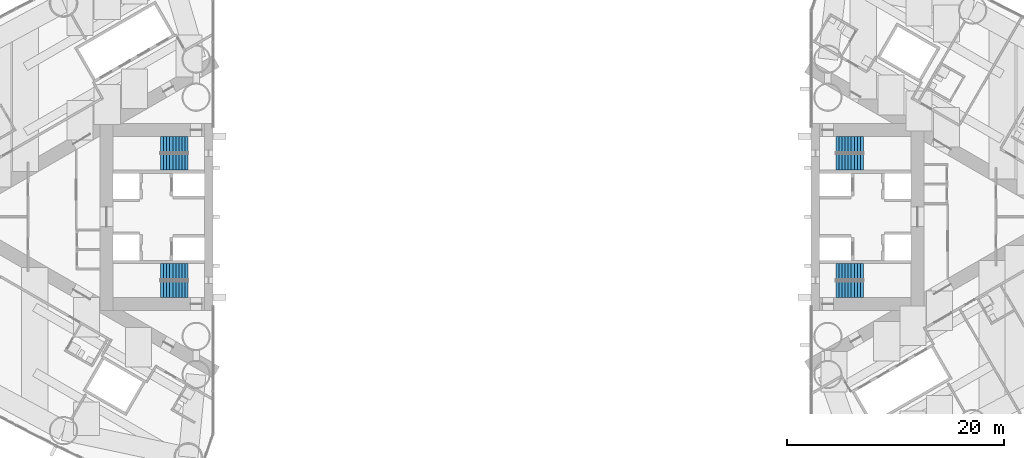
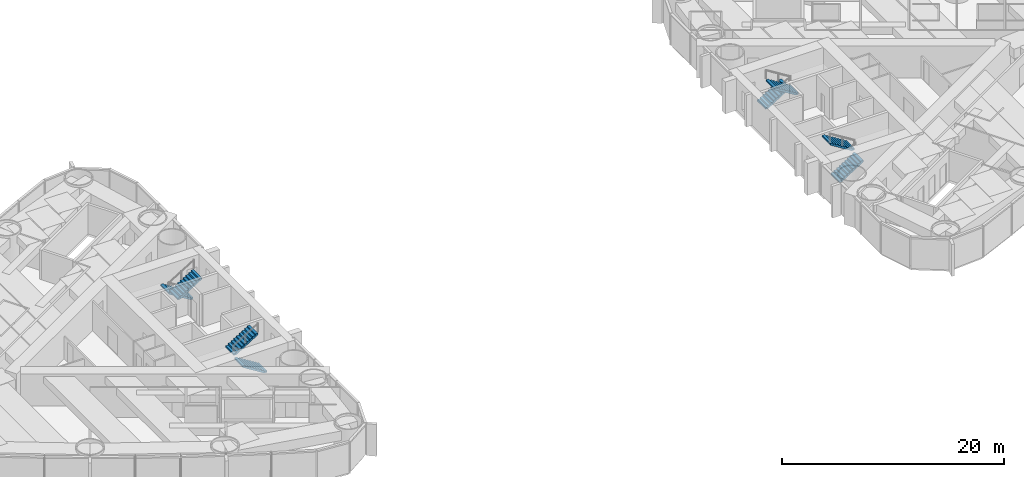
# One storey, part 17 of 19: 8 stair flights, 4 elements without a shape of their own.
"""IFC4 building model written with IfcOpenShell, lengths in metres."""

from ifc_helpers import new_model, si_unit, direction, frame, origin, place, context, subcontext, project, spatial, polyline, outline, extrude, material, type_object, element, aggregate, save


model = new_model("IFC4")

# Units and contexts
model_context = context("Model", 3, precision=1e-05, world=origin(), true_north=direction((0.0, 1.0)))
body_context = subcontext(model_context, "Body", "Model", "MODEL_VIEW")
ifc_project = project(units=[si_unit("LENGTHUNIT", "METRE"), si_unit("AREAUNIT", "SQUARE_METRE"), si_unit("VOLUMEUNIT", "CUBIC_METRE"), si_unit("PLANEANGLEUNIT", "RADIAN"), si_unit("MASSUNIT", "GRAM", prefix="KILO")], contexts=[model_context])

# Site, building, storey
site_placement = place(None, origin())
site = spatial("IfcSite", under=ifc_project, at=site_placement, CompositionType="ELEMENT")
building_placement = place(site_placement, origin())
building = spatial("IfcBuilding", under=site, at=building_placement, Name="Lancet Gate Hotel", CompositionType="ELEMENT")
storey_placement = place(building_placement, frame((0.0, 0.0, 111.60009765625)))
storey = spatial("IfcBuildingStorey", under=building, at=storey_placement, Name="L29", CompositionType="ELEMENT", Elevation=111.60009765625)

# Stair, stair flights
ifc_material_1 = material(Name="Exit stair 20 risers 1500")
stair_type = type_object("IfcStairType", Name="Exit stair 20 risers 1500", PredefinedType="HALF_TURN_STAIR", material=ifc_material_1)
stair_1_placement = place(storey_placement, origin())
stair_1 = element("IfcStair", 1, at=stair_1_placement, inside=storey, type_object=stair_type, Name="T1 stair 1 L29", PredefinedType="HALF_TURN_STAIR")
ifc_material_2 = material(Name="Stair flight 10 risers 175 rise 1500")
stair_flight_type = type_object("IfcStairFlightType", Name="Stair flight 10 risers 175 rise 1500", PredefinedType="STRAIGHT", material=ifc_material_2)
stair_flight_1_placement = place(storey_placement, frame((-29.800048828125, 6.64990234375, 0.0), z_axis=(0.0, 0.0, 1.0), x_axis=(-1.0, 0.0, 0.0)))
stair_flight_1 = element("IfcStairFlight", 2, at=stair_flight_1_placement, type_object=stair_flight_type, Name="ST1 flight 1", NumberOfRisers=10, NumberOfTreads=9, PredefinedType="STRAIGHT", RiserHeight=0.175, TreadLength=0.28, context=body_context, shape_type="SweptSolid", body=[
    extrude(outline(polyline([(0.0, 0.0), (0.0, 0.175048828125), (0.280029296875, 0.175048828125), (0.280029296875, 0.35009765625), (0.56005859375, 0.35009765625), (0.56005859375, 0.52490234375), (0.840087890625, 0.52490234375), (0.840087890625, 0.699951171875), (1.1201171875, 0.699951171875), (1.1201171875, 0.875), (1.39990234375, 0.875), (1.39990234375, 1.050048828125), (1.679931640625, 1.050048828125), (1.679931640625, 1.22509765625), (1.9599609375, 1.22509765625), (1.9599609375, 1.39990234375), (2.239990234375, 1.39990234375), (2.239990234375, 1.574951171875), (2.52001953125, 1.574951171875), (2.52001953125, 1.75), (2.52001953125, 1.398193359375), (0.28271484375, 0.0), (0.0, 0.0)])), frame((0.0, 0.75, 0.0), z_axis=(0.0, -1.0, 0.0), x_axis=(1.0, 0.0, 0.0)), (0.0, 0.0, 1.0), 1.5),
])
stair_flight_2_placement = place(storey_placement, frame((-32.320068359375, 5.050048828125, 1.75), z_axis=(0.0, 0.0, 1.0), x_axis=(1.0, 0.0, 0.0)))
stair_flight_2 = element("IfcStairFlight", 3, at=stair_flight_2_placement, type_object=stair_flight_type, Name="ST1 flight 2", NumberOfRisers=10, NumberOfTreads=9, PredefinedType="STRAIGHT", RiserHeight=0.175, TreadLength=0.28, context=body_context, shape_type="SweptSolid", body=[
    extrude(outline(polyline([(0.0, 0.0), (0.0, 0.175048828125), (0.280029296875, 0.175048828125), (0.280029296875, 0.35009765625), (0.56005859375, 0.35009765625), (0.56005859375, 0.52490234375), (0.840087890625, 0.52490234375), (0.840087890625, 0.699951171875), (1.1201171875, 0.699951171875), (1.1201171875, 0.875), (1.39990234375, 0.875), (1.39990234375, 1.050048828125), (1.679931640625, 1.050048828125), (1.679931640625, 1.22509765625), (1.9599609375, 1.22509765625), (1.9599609375, 1.39990234375), (2.239990234375, 1.39990234375), (2.239990234375, 1.574951171875), (2.52001953125, 1.574951171875), (2.52001953125, 1.75), (2.52001953125, 1.398193359375), (0.28271484375, 0.0), (0.0, 0.0)])), frame((0.0, 0.75, 0.0), z_axis=(0.0, -1.0, 0.0), x_axis=(1.0, 0.0, 0.0)), (0.0, 0.0, 1.0), 1.5),
])
aggregate(stair_1, [stair_flight_1, stair_flight_2])

stair_2_placement = place(storey_placement, origin())
stair_2 = element("IfcStair", 4, at=stair_2_placement, inside=storey, type_object=stair_type, Name="T1 stair 2 L29", PredefinedType="HALF_TURN_STAIR")
stair_flight_3_placement = place(storey_placement, frame((-29.800048828125, -6.64990234375, 0.0), z_axis=(0.0, 0.0, 1.0), x_axis=(-1.0, 0.0, 0.0)))
stair_flight_3 = element("IfcStairFlight", 5, at=stair_flight_3_placement, type_object=stair_flight_type, Name="ST2 flight 1", NumberOfRisers=10, NumberOfTreads=9, PredefinedType="STRAIGHT", RiserHeight=0.175, TreadLength=0.28, context=body_context, shape_type="SweptSolid", body=[
    extrude(outline(polyline([(0.0, 0.0), (0.0, 0.175048828125), (0.280029296875, 0.175048828125), (0.280029296875, 0.35009765625), (0.56005859375, 0.35009765625), (0.56005859375, 0.52490234375), (0.840087890625, 0.52490234375), (0.840087890625, 0.699951171875), (1.1201171875, 0.699951171875), (1.1201171875, 0.875), (1.39990234375, 0.875), (1.39990234375, 1.050048828125), (1.679931640625, 1.050048828125), (1.679931640625, 1.22509765625), (1.9599609375, 1.22509765625), (1.9599609375, 1.39990234375), (2.239990234375, 1.39990234375), (2.239990234375, 1.574951171875), (2.52001953125, 1.574951171875), (2.52001953125, 1.75), (2.52001953125, 1.398193359375), (0.28271484375, 0.0), (0.0, 0.0)])), frame((0.0, 0.75, 0.0), z_axis=(0.0, -1.0, 0.0), x_axis=(1.0, 0.0, 0.0)), (0.0, 0.0, 1.0), 1.5),
])
stair_flight_4_placement = place(storey_placement, frame((-32.320068359375, -5.050048828125, 1.75), z_axis=(0.0, 0.0, 1.0), x_axis=(1.0, 0.0, 0.0)))
stair_flight_4 = element("IfcStairFlight", 6, at=stair_flight_4_placement, type_object=stair_flight_type, Name="ST2 flight 2", NumberOfRisers=10, NumberOfTreads=9, PredefinedType="STRAIGHT", RiserHeight=0.175, TreadLength=0.28, context=body_context, shape_type="SweptSolid", body=[
    extrude(outline(polyline([(0.0, 0.0), (0.0, 0.175048828125), (0.280029296875, 0.175048828125), (0.280029296875, 0.35009765625), (0.56005859375, 0.35009765625), (0.56005859375, 0.52490234375), (0.840087890625, 0.52490234375), (0.840087890625, 0.699951171875), (1.1201171875, 0.699951171875), (1.1201171875, 0.875), (1.39990234375, 0.875), (1.39990234375, 1.050048828125), (1.679931640625, 1.050048828125), (1.679931640625, 1.22509765625), (1.9599609375, 1.22509765625), (1.9599609375, 1.39990234375), (2.239990234375, 1.39990234375), (2.239990234375, 1.574951171875), (2.52001953125, 1.574951171875), (2.52001953125, 1.75), (2.52001953125, 1.398193359375), (0.28271484375, 0.0), (0.0, 0.0)])), frame((0.0, 0.75, 0.0), z_axis=(0.0, -1.0, 0.0), x_axis=(1.0, 0.0, 0.0)), (0.0, 0.0, 1.0), 1.5),
])
aggregate(stair_2, [stair_flight_3, stair_flight_4])

stair_3_placement = place(storey_placement, origin())
stair_3 = element("IfcStair", 7, at=stair_3_placement, inside=storey, type_object=stair_type, Name="T2 stair 1 L29", PredefinedType="HALF_TURN_STAIR")
stair_flight_5_placement = place(storey_placement, frame((29.800048828125, -6.64990234375, 0.0), z_axis=(0.0, 0.0, 1.0), x_axis=(1.0, 0.0, 0.0)))
stair_flight_5 = element("IfcStairFlight", 8, at=stair_flight_5_placement, type_object=stair_flight_type, Name="ST3 flight 1", NumberOfRisers=10, NumberOfTreads=9, PredefinedType="STRAIGHT", RiserHeight=0.175, TreadLength=0.28, context=body_context, shape_type="SweptSolid", body=[
    extrude(outline(polyline([(0.0, 0.0), (0.0, 0.175048828125), (0.280029296875, 0.175048828125), (0.280029296875, 0.35009765625), (0.56005859375, 0.35009765625), (0.56005859375, 0.52490234375), (0.840087890625, 0.52490234375), (0.840087890625, 0.699951171875), (1.1201171875, 0.699951171875), (1.1201171875, 0.875), (1.39990234375, 0.875), (1.39990234375, 1.050048828125), (1.679931640625, 1.050048828125), (1.679931640625, 1.22509765625), (1.9599609375, 1.22509765625), (1.9599609375, 1.39990234375), (2.239990234375, 1.39990234375), (2.239990234375, 1.574951171875), (2.52001953125, 1.574951171875), (2.52001953125, 1.75), (2.52001953125, 1.398193359375), (0.28271484375, 0.0), (0.0, 0.0)])), frame((0.0, 0.75, 0.0), z_axis=(0.0, -1.0, 0.0), x_axis=(1.0, 0.0, 0.0)), (0.0, 0.0, 1.0), 1.5),
])
stair_flight_6_placement = place(storey_placement, frame((32.320068359375, -5.050048828125, 1.75), z_axis=(0.0, 0.0, 1.0), x_axis=(-1.0, 0.0, 0.0)))
stair_flight_6 = element("IfcStairFlight", 9, at=stair_flight_6_placement, type_object=stair_flight_type, Name="ST3 flight 2", NumberOfRisers=10, NumberOfTreads=9, PredefinedType="STRAIGHT", RiserHeight=0.175, TreadLength=0.28, context=body_context, shape_type="SweptSolid", body=[
    extrude(outline(polyline([(0.0, 0.0), (0.0, 0.175048828125), (0.280029296875, 0.175048828125), (0.280029296875, 0.35009765625), (0.56005859375, 0.35009765625), (0.56005859375, 0.52490234375), (0.840087890625, 0.52490234375), (0.840087890625, 0.699951171875), (1.1201171875, 0.699951171875), (1.1201171875, 0.875), (1.39990234375, 0.875), (1.39990234375, 1.050048828125), (1.679931640625, 1.050048828125), (1.679931640625, 1.22509765625), (1.9599609375, 1.22509765625), (1.9599609375, 1.39990234375), (2.239990234375, 1.39990234375), (2.239990234375, 1.574951171875), (2.52001953125, 1.574951171875), (2.52001953125, 1.75), (2.52001953125, 1.398193359375), (0.28271484375, 0.0), (0.0, 0.0)])), frame((0.0, 0.75, 0.0), z_axis=(0.0, -1.0, 0.0), x_axis=(1.0, 0.0, 0.0)), (0.0, 0.0, 1.0), 1.5),
])
aggregate(stair_3, [stair_flight_5, stair_flight_6])

stair_4_placement = place(storey_placement, origin())
stair_4 = element("IfcStair", 10, at=stair_4_placement, inside=storey, type_object=stair_type, Name="T2 stair 2 L29", PredefinedType="HALF_TURN_STAIR")
stair_flight_7_placement = place(storey_placement, frame((29.800048828125, 6.64990234375, 0.0), z_axis=(0.0, 0.0, 1.0), x_axis=(1.0, 0.0, 0.0)))
stair_flight_7 = element("IfcStairFlight", 11, at=stair_flight_7_placement, type_object=stair_flight_type, Name="ST4 flight 1", NumberOfRisers=10, NumberOfTreads=9, PredefinedType="STRAIGHT", RiserHeight=0.175, TreadLength=0.28, context=body_context, shape_type="SweptSolid", body=[
    extrude(outline(polyline([(0.0, 0.0), (0.0, 0.175048828125), (0.280029296875, 0.175048828125), (0.280029296875, 0.35009765625), (0.56005859375, 0.35009765625), (0.56005859375, 0.52490234375), (0.840087890625, 0.52490234375), (0.840087890625, 0.699951171875), (1.1201171875, 0.699951171875), (1.1201171875, 0.875), (1.39990234375, 0.875), (1.39990234375, 1.050048828125), (1.679931640625, 1.050048828125), (1.679931640625, 1.22509765625), (1.9599609375, 1.22509765625), (1.9599609375, 1.39990234375), (2.239990234375, 1.39990234375), (2.239990234375, 1.574951171875), (2.52001953125, 1.574951171875), (2.52001953125, 1.75), (2.52001953125, 1.398193359375), (0.28271484375, 0.0), (0.0, 0.0)])), frame((0.0, 0.75, 0.0), z_axis=(0.0, -1.0, 0.0), x_axis=(1.0, 0.0, 0.0)), (0.0, 0.0, 1.0), 1.5),
])
stair_flight_8_placement = place(storey_placement, frame((32.320068359375, 5.050048828125, 1.75), z_axis=(0.0, 0.0, 1.0), x_axis=(-1.0, 0.0, 0.0)))
stair_flight_8 = element("IfcStairFlight", 12, at=stair_flight_8_placement, type_object=stair_flight_type, Name="ST4 flight 2", NumberOfRisers=10, NumberOfTreads=9, PredefinedType="STRAIGHT", RiserHeight=0.175, TreadLength=0.28, context=body_context, shape_type="SweptSolid", body=[
    extrude(outline(polyline([(0.0, 0.0), (0.0, 0.175048828125), (0.280029296875, 0.175048828125), (0.280029296875, 0.35009765625), (0.56005859375, 0.35009765625), (0.56005859375, 0.52490234375), (0.840087890625, 0.52490234375), (0.840087890625, 0.699951171875), (1.1201171875, 0.699951171875), (1.1201171875, 0.875), (1.39990234375, 0.875), (1.39990234375, 1.050048828125), (1.679931640625, 1.050048828125), (1.679931640625, 1.22509765625), (1.9599609375, 1.22509765625), (1.9599609375, 1.39990234375), (2.239990234375, 1.39990234375), (2.239990234375, 1.574951171875), (2.52001953125, 1.574951171875), (2.52001953125, 1.75), (2.52001953125, 1.398193359375), (0.28271484375, 0.0), (0.0, 0.0)])), frame((0.0, 0.75, 0.0), z_axis=(0.0, -1.0, 0.0), x_axis=(1.0, 0.0, 0.0)), (0.0, 0.0, 1.0), 1.5),
])
aggregate(stair_4, [stair_flight_7, stair_flight_8])

save(model, "model.ifc")
